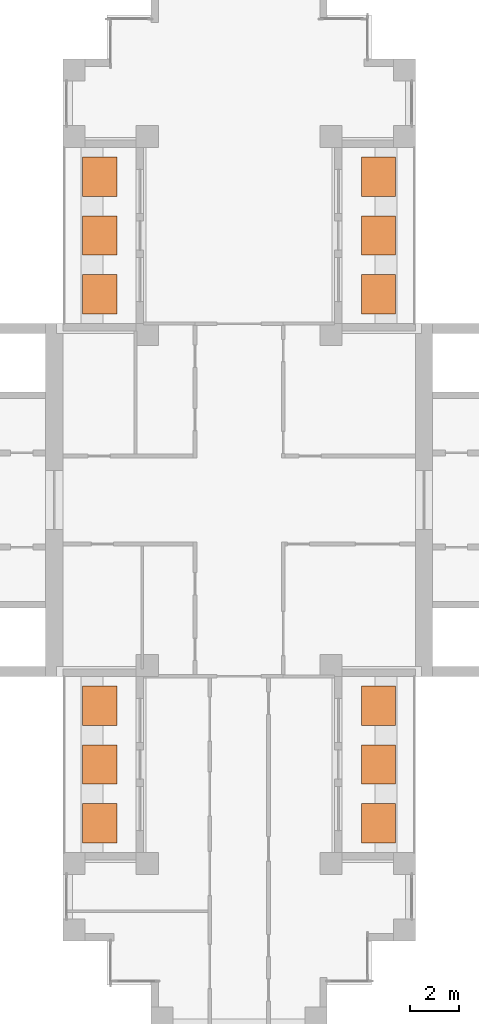
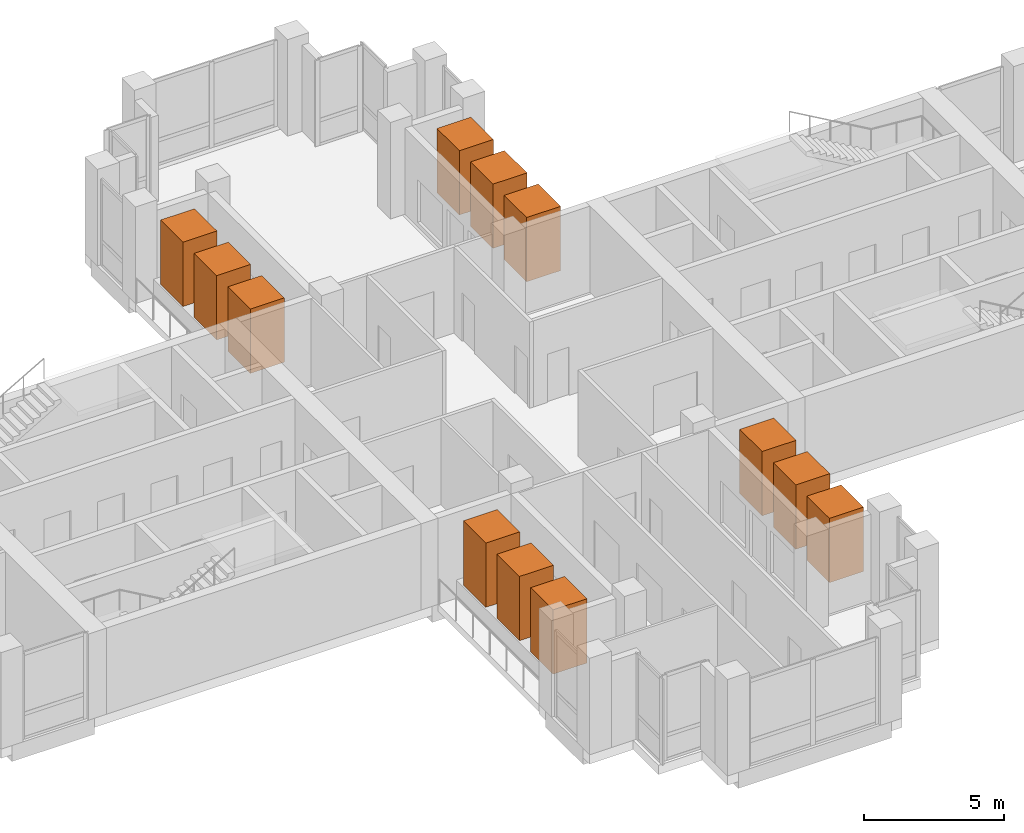
# One storey, part 13 of 13: 12 geographic elements.
"""IFC4 building model written with IfcOpenShell, lengths in metres."""

import ifcopenshell
import ifcopenshell.guid

model = None  # the IFC model being written
_history = None  # IfcOwnerHistory: only IFC2X3 demands one
_inside = {}  # id of a spatial element -> (the spatial element, [elements in it])
_under = {}  # id of a project, library or spatial element -> (it, [spatial elements below it])
_declared = {}  # id of a project -> (the project, [libraries it declares])
_typed = {}  # id of a type object -> (the type object, [elements of that type])
_made_of = {}  # id of a material, layer set ... -> (it, [elements and type objects made of it])


def new_model(schema):
    """Start an empty IFC model of exactly this schema.

    Asked for "IFC4X3", IfcOpenShell would pick the latest addendum, in which some entities
    have other attributes; the version numbers below select the first issue.
    IFC2X3 requires an IfcOwnerHistory on every rooted entity: one is made here for all.
    """
    global model, _history
    if schema == "IFC4X3":
        model = ifcopenshell.file(schema_version=(4, 3, 0, 0))
    else:
        model = ifcopenshell.file(schema=schema)
    _inside.clear()
    _under.clear()
    _declared.clear()
    _typed.clear()
    _made_of.clear()
    _history = None
    if model.schema == "IFC2X3":
        org = make("IfcOrganization", Name="unknown")
        user = make(
            "IfcPersonAndOrganization",
            ThePerson=make("IfcPerson", FamilyName="unknown"),
            TheOrganization=org,
        )
        app = make(
            "IfcApplication",
            ApplicationDeveloper=org,
            Version="unknown",
            ApplicationFullName="unknown",
            ApplicationIdentifier="unknown",
        )
        _history = make(
            "IfcOwnerHistory",
            OwningUser=user,
            OwningApplication=app,
            ChangeAction="ADDED",
            CreationDate=0,
        )
    return model


def make(cls, **values):
    """One entity of the class cls with the attributes given. An attribute that is None is left unset."""
    return model.create_entity(
        cls, **{name: value for name, value in values.items() if value is not None}
    )


def rooted(cls, **values):
    """An entity with a GlobalId (a new one), such as an element, a storey or a relation."""
    return make(cls, GlobalId=ifcopenshell.guid.new(), OwnerHistory=_history, **values)


def si_unit(unit_type, name, prefix=None):
    """IfcSIUnit, for example si_unit("LENGTHUNIT", "METRE", prefix="MILLI")."""
    return make("IfcSIUnit", UnitType=unit_type, Prefix=prefix, Name=name)


def assignment(units):
    """IfcUnitAssignment: the units of a project."""
    return None if units is None else make("IfcUnitAssignment", Units=units)


def point(xyz):
    """IfcCartesianPoint."""
    return None if xyz is None else make("IfcCartesianPoint", Coordinates=xyz)


def direction(xyz):
    """IfcDirection."""
    return None if xyz is None else make("IfcDirection", DirectionRatios=xyz)


def frame(location, z_axis=None, x_axis=None):
    """IfcAxis2Placement3D, a coordinate frame: its origin and axes. An axis left out is left unset."""
    return make(
        "IfcAxis2Placement3D",
        Location=point(location),
        Axis=direction(z_axis),
        RefDirection=direction(x_axis),
    )


def frame_2d(location, x_axis=None):
    """IfcAxis2Placement2D, a coordinate frame in the plane: its origin and x axis."""
    return make(
        "IfcAxis2Placement2D", Location=point(location), RefDirection=direction(x_axis)
    )


def origin():
    """The frame at (0, 0, 0) with its axes left unset."""
    return frame((0.0, 0.0, 0.0))


def origin_2d():
    """The frame at (0, 0) in the plane with its x axis left unset."""
    return frame_2d((0.0, 0.0))


def place(relative_to, where):
    """IfcLocalPlacement: puts the frame where relative to a parent placement (None: the world)."""
    return make(
        "IfcLocalPlacement", PlacementRelTo=relative_to, RelativePlacement=where
    )


def context(
    kind, dimensions, precision=None, world=None, true_north=None, identifier=None
):
    """IfcGeometricRepresentationContext, for example the 3D "Model" context."""
    return make(
        "IfcGeometricRepresentationContext",
        ContextIdentifier=identifier,
        ContextType=kind,
        CoordinateSpaceDimension=dimensions,
        Precision=precision,
        WorldCoordinateSystem=world,
        TrueNorth=true_north,
    )


def subcontext(parent, identifier, kind, view, scale=None):
    """IfcGeometricRepresentationSubContext, for example "Body" below "Model"."""
    return make(
        "IfcGeometricRepresentationSubContext",
        ContextIdentifier=identifier,
        ContextType=kind,
        ParentContext=parent,
        TargetScale=scale,
        TargetView=view,
    )


def project(units=None, contexts=None):
    """IfcProject with its units and contexts."""
    return rooted(
        "IfcProject",
        Name="project",
        RepresentationContexts=contexts,
        UnitsInContext=assignment(units),
    )


def spatial(cls, under=None, at=None, **own):
    """A site, building, storey or space (cls), placed at a placement, below another one or the project."""
    s = rooted(cls, ObjectPlacement=at, **own)
    if under is not None:
        _under.setdefault(under.id(), (under, []))[1].append(s)
    return s


def profile(cls, at=None, kind="AREA", **sizes):
    """A parametric profile (cls). Its sizes go by their IFC names, for example OverallWidth=200.0."""
    return make(cls, ProfileType=kind, Position=at, **sizes)


def rectangle(**sizes):
    """IfcRectangleProfileDef."""
    return profile("IfcRectangleProfileDef", **sizes)


def extrude(swept, where, along, depth):
    """IfcExtrudedAreaSolid: the profile swept, set in the frame where, extruded along a direction by depth."""
    return make(
        "IfcExtrudedAreaSolid",
        SweptArea=swept,
        Position=where,
        ExtrudedDirection=direction(along),
        Depth=depth,
    )


def shape(context_of_items, identifier, shape_type, items):
    """IfcShapeRepresentation: the items that make up one representation, for example the "Body"."""
    return make(
        "IfcShapeRepresentation",
        ContextOfItems=context_of_items,
        RepresentationIdentifier=identifier,
        RepresentationType=shape_type,
        Items=items,
    )


def material(Name=None, Category=None):
    """IfcMaterial."""
    return make("IfcMaterial", Name=Name, Category=Category)


def made_of(thing, what):
    """Note that an element or type object is made of a material, layer set ...; save() writes the relation."""
    if what is not None:
        _made_of.setdefault(what.id(), (what, []))[1].append(thing)
    return thing


def element(
    cls,
    number,
    at=None,
    inside=None,
    cuts=None,
    type_object=None,
    material=None,
    context=None,
    identifier="Body",
    shape_type=None,
    held_by="IfcProductDefinitionShape",
    body=None,
    shapes=None,
    **own,
):
    """One element of the class cls, such as IfcWall. Its Tag is "e" and its number.

    at: its placement. inside: the storey or other place that contains it. cuts: it is an
    opening in that element (IfcRelVoidsElement). A single representation is given by context,
    identifier, shape_type and body (its items); several are given by shapes. held_by: the class
    of the entity that holds the representations. save() writes the other relations.
    """
    e = rooted(cls, Tag="e%d" % number, ObjectPlacement=at, **own)
    if body is not None:
        shapes = [shape(context, identifier, shape_type, body)]
    if shapes is not None:
        e.Representation = make(held_by, Representations=shapes)
    if inside is not None:
        _inside.setdefault(inside.id(), (inside, []))[1].append(e)
    if cuts is not None:
        rooted(
            "IfcRelVoidsElement", RelatingBuildingElement=cuts, RelatedOpeningElement=e
        )
    if type_object is not None:
        _typed.setdefault(type_object.id(), (type_object, []))[1].append(e)
    return made_of(e, material)


def aggregate(whole, parts):
    """IfcRelAggregates: a whole, such as a stair, and the parts it consists of."""
    return rooted("IfcRelAggregates", RelatingObject=whole, RelatedObjects=parts)


def save(model, path):
    """Write the relations noted so far, then the file.

    IfcRelAggregates (storeys below a building ...), IfcRelContainedInSpatialStructure (elements
    in a storey), IfcRelDefinesByType, IfcRelAssociatesMaterial and IfcRelDeclares: one each for
    every whole, place, type object, material and project.
    """
    for whole, parts in _under.values():
        aggregate(whole, parts)
    for where, things in _inside.values():
        rooted(
            "IfcRelContainedInSpatialStructure",
            RelatedElements=things,
            RelatingStructure=where,
        )
    for kind, things in _typed.values():
        rooted("IfcRelDefinesByType", RelatedObjects=things, RelatingType=kind)
    for what, things in _made_of.values():
        rooted("IfcRelAssociatesMaterial", RelatedObjects=things, RelatingMaterial=what)
    for by, libraries in _declared.values():
        rooted("IfcRelDeclares", RelatingContext=by, RelatedDefinitions=libraries)
    model.write(path)


model = new_model("IFC4")

# Units and contexts
model_context = context("Model", 3, precision=1e-05, world=origin(), true_north=direction((0.0, 1.0)))
body_context = subcontext(model_context, "Body", "Model", "MODEL_VIEW")
ifc_project = project(units=[si_unit("LENGTHUNIT", "METRE"), si_unit("AREAUNIT", "SQUARE_METRE"), si_unit("VOLUMEUNIT", "CUBIC_METRE"), si_unit("PLANEANGLEUNIT", "RADIAN"), si_unit("MASSUNIT", "GRAM", prefix="KILO")], contexts=[model_context])

# Site, building, storey
site_placement = place(None, origin())
site = spatial("IfcSite", under=ifc_project, at=site_placement, CompositionType="ELEMENT")
building_placement = place(site_placement, origin())
building = spatial("IfcBuilding", under=site, at=building_placement, Name="Fustian Cross Tower", CompositionType="ELEMENT")
storey_placement = place(building_placement, frame((0.0, 0.0, 237.89990234375)))
storey = spatial("IfcBuildingStorey", under=building, at=storey_placement, Name="L75", CompositionType="ELEMENT", Elevation=237.89990234375)

# Geographic elements
ifc_material = material(Name="Evergreen foliage")
for number, where, z_axis, x_axis, name in (
    (1, (5.68994140625, 8.39990234375, 0.80029296875), (0.0, 0.0, 1.0), (1.0, 0.0, 0.0), "TREE field maple"),
    (2, (5.68994140625, 10.800048828125, 0.80029296875), (0.0, 0.0, 1.0), (1.0, 0.0, 0.0), "TREE field maple"),
    (3, (5.68994140625, 13.199951171875, 0.80029296875), (0.0, 0.0, 1.0), (1.0, 0.0, 0.0), "TREE field maple"),
    (4, (-5.68994140625, 8.39990234375, 0.80029296875), (0.0, 0.0, 1.0), (1.0, 0.0, 0.0), "TREE field maple"),
    (5, (-5.68994140625, 10.800048828125, 0.80029296875), (0.0, 0.0, 1.0), (1.0, 0.0, 0.0), "TREE field maple"),
    (6, (-5.68994140625, 13.199951171875, 0.80029296875), (0.0, 0.0, 1.0), (1.0, 0.0, 0.0), "TREE field maple"),
    (7, (5.68994140625, -13.199951171875, 0.80029296875), (0.0, 0.0, 1.0), (1.0, 0.0, 0.0), "TREE field maple"),
    (8, (5.68994140625, -10.800048828125, 0.80029296875), (0.0, 0.0, 1.0), (1.0, 0.0, 0.0), "TREE field maple"),
    (9, (5.68994140625, -8.39990234375, 0.80029296875), (0.0, 0.0, 1.0), (1.0, 0.0, 0.0), "TREE field maple"),
    (10, (-5.68994140625, -13.199951171875, 0.80029296875), (0.0, 0.0, 1.0), (1.0, 0.0, 0.0), "TREE field maple"),
    (11, (-5.68994140625, -10.800048828125, 0.80029296875), (0.0, 0.0, 1.0), (1.0, 0.0, 0.0), "TREE field maple"),
    (12, (-5.68994140625, -8.39990234375, 0.80029296875), (0.0, 0.0, 1.0), (1.0, 0.0, 0.0), "TREE field maple"),
):
    element("IfcGeographicElement", number, at=place(storey_placement, frame(where, z_axis=z_axis, x_axis=x_axis)), inside=storey, material=ifc_material, Name=name, ObjectType="VEGETATION", PredefinedType="USERDEFINED", context=body_context, shape_type="SweptSolid", body=[
        extrude(rectangle(XDim=1.39990234375, YDim=1.60009765625, at=origin_2d()), origin(), (0.0, 0.0, 1.0), 2.800048828125),
    ])

save(model, "model.ifc")
